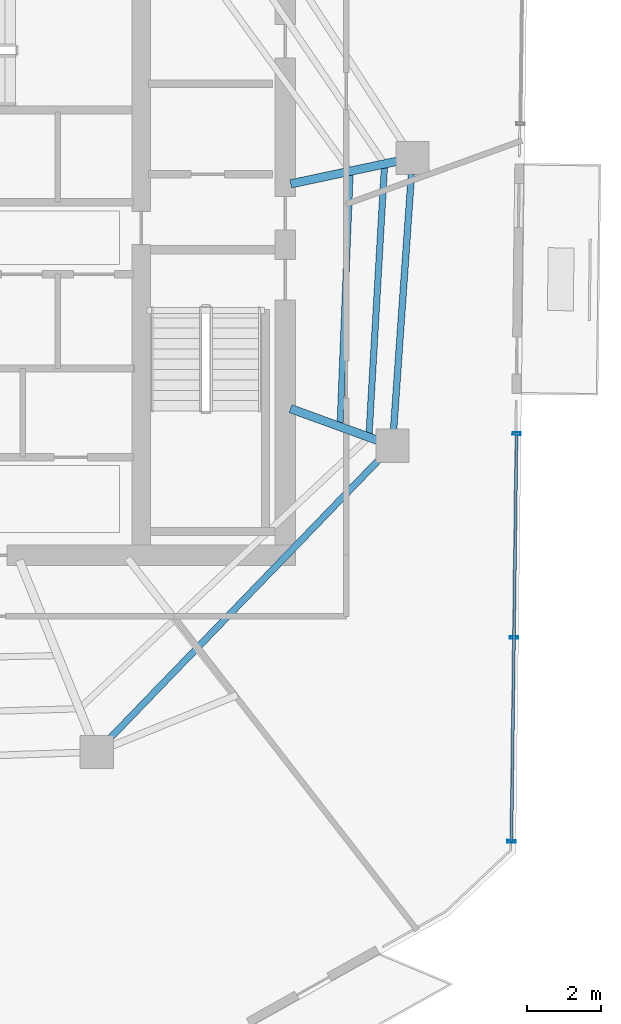
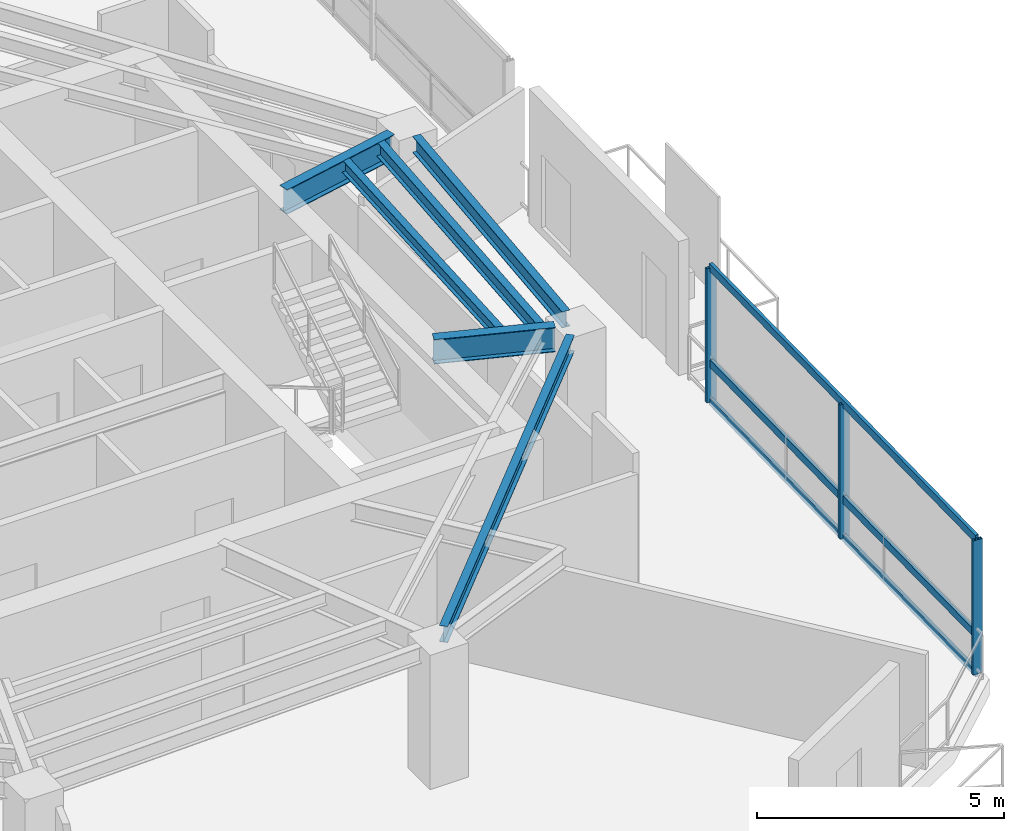
# One storey, part 7 of 18: 6 beams, 6 members, 1 element without a shape of its own.
"""IFC4 building model written with IfcOpenShell, lengths in metres."""

import ifcopenshell
import ifcopenshell.guid

model = None  # the IFC model being written
_history = None  # IfcOwnerHistory: only IFC2X3 demands one
_inside = {}  # id of a spatial element -> (the spatial element, [elements in it])
_under = {}  # id of a project, library or spatial element -> (it, [spatial elements below it])
_declared = {}  # id of a project -> (the project, [libraries it declares])
_typed = {}  # id of a type object -> (the type object, [elements of that type])
_made_of = {}  # id of a material, layer set ... -> (it, [elements and type objects made of it])


def new_model(schema):
    """Start an empty IFC model of exactly this schema.

    Asked for "IFC4X3", IfcOpenShell would pick the latest addendum, in which some entities
    have other attributes; the version numbers below select the first issue.
    IFC2X3 requires an IfcOwnerHistory on every rooted entity: one is made here for all.
    """
    global model, _history
    if schema == "IFC4X3":
        model = ifcopenshell.file(schema_version=(4, 3, 0, 0))
    else:
        model = ifcopenshell.file(schema=schema)
    _inside.clear()
    _under.clear()
    _declared.clear()
    _typed.clear()
    _made_of.clear()
    _history = None
    if model.schema == "IFC2X3":
        org = make("IfcOrganization", Name="unknown")
        user = make(
            "IfcPersonAndOrganization",
            ThePerson=make("IfcPerson", FamilyName="unknown"),
            TheOrganization=org,
        )
        app = make(
            "IfcApplication",
            ApplicationDeveloper=org,
            Version="unknown",
            ApplicationFullName="unknown",
            ApplicationIdentifier="unknown",
        )
        _history = make(
            "IfcOwnerHistory",
            OwningUser=user,
            OwningApplication=app,
            ChangeAction="ADDED",
            CreationDate=0,
        )
    return model


def make(cls, **values):
    """One entity of the class cls with the attributes given. An attribute that is None is left unset."""
    return model.create_entity(
        cls, **{name: value for name, value in values.items() if value is not None}
    )


def rooted(cls, **values):
    """An entity with a GlobalId (a new one), such as an element, a storey or a relation."""
    return make(cls, GlobalId=ifcopenshell.guid.new(), OwnerHistory=_history, **values)


def si_unit(unit_type, name, prefix=None):
    """IfcSIUnit, for example si_unit("LENGTHUNIT", "METRE", prefix="MILLI")."""
    return make("IfcSIUnit", UnitType=unit_type, Prefix=prefix, Name=name)


def assignment(units):
    """IfcUnitAssignment: the units of a project."""
    return None if units is None else make("IfcUnitAssignment", Units=units)


def point(xyz):
    """IfcCartesianPoint."""
    return None if xyz is None else make("IfcCartesianPoint", Coordinates=xyz)


def direction(xyz):
    """IfcDirection."""
    return None if xyz is None else make("IfcDirection", DirectionRatios=xyz)


def frame(location, z_axis=None, x_axis=None):
    """IfcAxis2Placement3D, a coordinate frame: its origin and axes. An axis left out is left unset."""
    return make(
        "IfcAxis2Placement3D",
        Location=point(location),
        Axis=direction(z_axis),
        RefDirection=direction(x_axis),
    )


def frame_2d(location, x_axis=None):
    """IfcAxis2Placement2D, a coordinate frame in the plane: its origin and x axis."""
    return make(
        "IfcAxis2Placement2D", Location=point(location), RefDirection=direction(x_axis)
    )


def origin():
    """The frame at (0, 0, 0) with its axes left unset."""
    return frame((0.0, 0.0, 0.0))


def origin_2d():
    """The frame at (0, 0) in the plane with its x axis left unset."""
    return frame_2d((0.0, 0.0))


def place(relative_to, where):
    """IfcLocalPlacement: puts the frame where relative to a parent placement (None: the world)."""
    return make(
        "IfcLocalPlacement", PlacementRelTo=relative_to, RelativePlacement=where
    )


def context(
    kind, dimensions, precision=None, world=None, true_north=None, identifier=None
):
    """IfcGeometricRepresentationContext, for example the 3D "Model" context."""
    return make(
        "IfcGeometricRepresentationContext",
        ContextIdentifier=identifier,
        ContextType=kind,
        CoordinateSpaceDimension=dimensions,
        Precision=precision,
        WorldCoordinateSystem=world,
        TrueNorth=true_north,
    )


def subcontext(parent, identifier, kind, view, scale=None):
    """IfcGeometricRepresentationSubContext, for example "Body" below "Model"."""
    return make(
        "IfcGeometricRepresentationSubContext",
        ContextIdentifier=identifier,
        ContextType=kind,
        ParentContext=parent,
        TargetScale=scale,
        TargetView=view,
    )


def project(units=None, contexts=None):
    """IfcProject with its units and contexts."""
    return rooted(
        "IfcProject",
        Name="project",
        RepresentationContexts=contexts,
        UnitsInContext=assignment(units),
    )


def spatial(cls, under=None, at=None, **own):
    """A site, building, storey or space (cls), placed at a placement, below another one or the project."""
    s = rooted(cls, ObjectPlacement=at, **own)
    if under is not None:
        _under.setdefault(under.id(), (under, []))[1].append(s)
    return s


def profile(cls, at=None, kind="AREA", **sizes):
    """A parametric profile (cls). Its sizes go by their IFC names, for example OverallWidth=200.0."""
    return make(cls, ProfileType=kind, Position=at, **sizes)


def hollow_rectangle(**sizes):
    """IfcRectangleHollowProfileDef."""
    return profile("IfcRectangleHollowProfileDef", **sizes)


def i_section(**sizes):
    """IfcIShapeProfileDef."""
    return profile("IfcIShapeProfileDef", **sizes)


def extrude(swept, where, along, depth):
    """IfcExtrudedAreaSolid: the profile swept, set in the frame where, extruded along a direction by depth."""
    return make(
        "IfcExtrudedAreaSolid",
        SweptArea=swept,
        Position=where,
        ExtrudedDirection=direction(along),
        Depth=depth,
    )


def shape(context_of_items, identifier, shape_type, items):
    """IfcShapeRepresentation: the items that make up one representation, for example the "Body"."""
    return make(
        "IfcShapeRepresentation",
        ContextOfItems=context_of_items,
        RepresentationIdentifier=identifier,
        RepresentationType=shape_type,
        Items=items,
    )


def material(Name=None, Category=None):
    """IfcMaterial."""
    return make("IfcMaterial", Name=Name, Category=Category)


def layer(
    of_material, thickness, ventilated=None, Name=None, Category=None, Priority=None
):
    """IfcMaterialLayer: one layer of a wall or slab, of a material (None: an air gap)."""
    return make(
        "IfcMaterialLayer",
        Material=of_material,
        LayerThickness=thickness,
        IsVentilated=ventilated,
        Name=Name,
        Category=Category,
        Priority=Priority,
    )


def layer_set(layers, Name=None):
    """IfcMaterialLayerSet."""
    return make("IfcMaterialLayerSet", MaterialLayers=layers, LayerSetName=Name)


def material_profile(
    of_material, cross_section, Name=None, Category=None, Priority=None
):
    """IfcMaterialProfile: a cross section and its material."""
    return make(
        "IfcMaterialProfile",
        Name=Name,
        Material=of_material,
        Profile=cross_section,
        Priority=Priority,
        Category=Category,
    )


def profile_set(profiles, Name=None, composite=None):
    """IfcMaterialProfileSet."""
    return make(
        "IfcMaterialProfileSet",
        Name=Name,
        MaterialProfiles=profiles,
        CompositeProfile=composite,
    )


def made_of(thing, what):
    """Note that an element or type object is made of a material, layer set ...; save() writes the relation."""
    if what is not None:
        _made_of.setdefault(what.id(), (what, []))[1].append(thing)
    return thing


def type_object(cls, material=None, **own):
    """A type object (cls), such as IfcWallType, which elements share."""
    return made_of(rooted(cls, **own), material)


def element(
    cls,
    number,
    at=None,
    inside=None,
    cuts=None,
    type_object=None,
    material=None,
    context=None,
    identifier="Body",
    shape_type=None,
    held_by="IfcProductDefinitionShape",
    body=None,
    shapes=None,
    **own,
):
    """One element of the class cls, such as IfcWall. Its Tag is "e" and its number.

    at: its placement. inside: the storey or other place that contains it. cuts: it is an
    opening in that element (IfcRelVoidsElement). A single representation is given by context,
    identifier, shape_type and body (its items); several are given by shapes. held_by: the class
    of the entity that holds the representations. save() writes the other relations.
    """
    e = rooted(cls, Tag="e%d" % number, ObjectPlacement=at, **own)
    if body is not None:
        shapes = [shape(context, identifier, shape_type, body)]
    if shapes is not None:
        e.Representation = make(held_by, Representations=shapes)
    if inside is not None:
        _inside.setdefault(inside.id(), (inside, []))[1].append(e)
    if cuts is not None:
        rooted(
            "IfcRelVoidsElement", RelatingBuildingElement=cuts, RelatedOpeningElement=e
        )
    if type_object is not None:
        _typed.setdefault(type_object.id(), (type_object, []))[1].append(e)
    return made_of(e, material)


def aggregate(whole, parts):
    """IfcRelAggregates: a whole, such as a stair, and the parts it consists of."""
    return rooted("IfcRelAggregates", RelatingObject=whole, RelatedObjects=parts)


def save(model, path):
    """Write the relations noted so far, then the file.

    IfcRelAggregates (storeys below a building ...), IfcRelContainedInSpatialStructure (elements
    in a storey), IfcRelDefinesByType, IfcRelAssociatesMaterial and IfcRelDeclares: one each for
    every whole, place, type object, material and project.
    """
    for whole, parts in _under.values():
        aggregate(whole, parts)
    for where, things in _inside.values():
        rooted(
            "IfcRelContainedInSpatialStructure",
            RelatedElements=things,
            RelatingStructure=where,
        )
    for kind, things in _typed.values():
        rooted("IfcRelDefinesByType", RelatedObjects=things, RelatingType=kind)
    for what, things in _made_of.values():
        rooted("IfcRelAssociatesMaterial", RelatedObjects=things, RelatingMaterial=what)
    for by, libraries in _declared.values():
        rooted("IfcRelDeclares", RelatingContext=by, RelatedDefinitions=libraries)
    model.write(path)


model = new_model("IFC4")

# Units and contexts
model_context = context("Model", 3, precision=1e-05, world=origin(), true_north=direction((0.0, 1.0)))
body_context = subcontext(model_context, "Body", "Model", "MODEL_VIEW")
ifc_project = project(units=[si_unit("LENGTHUNIT", "METRE"), si_unit("AREAUNIT", "SQUARE_METRE"), si_unit("VOLUMEUNIT", "CUBIC_METRE"), si_unit("PLANEANGLEUNIT", "RADIAN"), si_unit("MASSUNIT", "GRAM", prefix="KILO")], contexts=[model_context])

# Site, building, storey
site_placement = place(None, origin())
site = spatial("IfcSite", under=ifc_project, at=site_placement, CompositionType="ELEMENT")
building_placement = place(site_placement, origin())
building = spatial("IfcBuilding", under=site, at=building_placement, Name="Qarnah Convention Tower", CompositionType="ELEMENT")
storey_placement = place(building_placement, frame((0.0, 0.0, 177.0)))
storey = spatial("IfcBuildingStorey", under=building, at=storey_placement, Name="L47", CompositionType="ELEMENT", Elevation=177.0)

# Beams
ifc_material_1 = material(Name="Structural steel S355JR", Category="steel")
ifc_material_profile_1 = material_profile(ifc_material_1, i_section(OverallWidth=0.166015625, OverallDepth=0.31201171875, WebThickness=0.007080078125, FlangeThickness=0.010986328125, at=origin_2d()), Name="W310X45")
ifc_profile_set_1 = profile_set([ifc_material_profile_1], Name="Structural steel S355JR")
beam_type_1 = type_object("IfcBeamType", Name="BM-JST-W310", PredefinedType="JOIST", material=ifc_profile_set_1)
beam_1_placement = place(storey_placement, frame((49.0810546875, 22.166015625, 3.1640625), z_axis=(0.040101253975, 0.999195621202, 0.0), x_axis=(-0.999195621202, 0.040101253975, 0.0)))
element("IfcBeam", 1, at=beam_1_placement, inside=storey, type_object=beam_type_1, Name="L47 joist BM-L47-IJST-09", PredefinedType="JOIST", context=body_context, shape_type="SweptSolid", body=[
    extrude(i_section(OverallWidth=0.166015625, OverallDepth=0.31201171875, WebThickness=0.007080078125, FlangeThickness=0.010986328125, at=origin_2d()), origin(), (0.0, 0.0, 1.0), 6.7333984375),
])
ifc_material_profile_2 = material_profile(ifc_material_1, i_section(OverallWidth=0.172119140625, OverallDepth=0.35595703125, WebThickness=0.007080078125, FlangeThickness=0.011962890625, at=origin_2d()), Name="W360X51")
ifc_profile_set_2 = profile_set([ifc_material_profile_2], Name="Structural steel S355JR")
beam_type_2 = type_object("IfcBeamType", Name="BM-JST-W360", PredefinedType="JOIST", material=ifc_profile_set_2)
beam_2_placement = place(storey_placement, frame((49.864990234375, 21.882080078125, 3.14208984375), z_axis=(0.057342500082, 0.998354565114, 0.0), x_axis=(-0.998354565114, 0.057342500082, 0.0)))
element("IfcBeam", 2, at=beam_2_placement, inside=storey, type_object=beam_type_2, Name="L47 joist BM-L47-SJST-09", PredefinedType="JOIST", context=body_context, shape_type="SweptSolid", body=[
    extrude(i_section(OverallWidth=0.172119140625, OverallDepth=0.35595703125, WebThickness=0.007080078125, FlangeThickness=0.011962890625, at=origin_2d()), origin(), (0.0, 0.0, 1.0), 7.220947265625),
])
ifc_material_profile_3 = material_profile(ifc_material_1, i_section(OverallWidth=0.22802734375, OverallDepth=0.60791015625, WebThickness=0.010986328125, FlangeThickness=0.01708984375, at=origin_2d()), Name="W610X113")
ifc_profile_set_3 = profile_set([ifc_material_profile_3], Name="Structural steel S355JR")
beam_type_3 = type_object("IfcBeamType", Name="BM-RAD-W610B", PredefinedType="BEAM", material=ifc_profile_set_3)
beam_3_placement = place(storey_placement, frame((47.7470703125, 28.64208984375, 3.01611328125), z_axis=(0.978136876062, 0.207962140033, 0.0), x_axis=(-0.207962140033, 0.978136876062, 0.0)))
element("IfcBeam", 3, at=beam_3_placement, inside=storey, type_object=beam_type_3, Name="L47 beam BM-L47-RAD-01", PredefinedType="BEAM", context=body_context, shape_type="SweptSolid", body=[
    extrude(i_section(OverallWidth=0.22802734375, OverallDepth=0.60791015625, WebThickness=0.010986328125, FlangeThickness=0.01708984375, at=origin_2d()), origin(), (0.0, 0.0, 1.0), 2.937255859375),
])
beam_4_placement = place(storey_placement, frame((47.740966796875, 22.56298828125, 3.01611328125), z_axis=(0.939707956932, -0.341978004671, 0.0), x_axis=(0.341978004671, 0.939707956932, 0.0)))
element("IfcBeam", 4, at=beam_4_placement, inside=storey, type_object=beam_type_3, Name="L47 beam BM-L47-RAD-09", PredefinedType="BEAM", context=body_context, shape_type="SweptSolid", body=[
    extrude(i_section(OverallWidth=0.22802734375, OverallDepth=0.60791015625, WebThickness=0.010986328125, FlangeThickness=0.01708984375, at=origin_2d()), origin(), (0.0, 0.0, 1.0), 2.5029296875),
])
ifc_material_profile_4 = material_profile(ifc_material_1, i_section(OverallWidth=0.179931640625, OverallDepth=0.39990234375, WebThickness=0.009033203125, FlangeThickness=0.013916015625, at=origin_2d()), Name="IPE400")
ifc_profile_set_4 = profile_set([ifc_material_profile_4], Name="Structural steel S355JR")
beam_type_4 = type_object("IfcBeamType", Name="BM-SPN-IPE400", PredefinedType="SPANDREL", material=ifc_profile_set_4)
beam_5_placement = place(storey_placement, frame((42.806884765625, 13.596923828125, 3.1201171875), z_axis=(0.694676898282, 0.719321907767, 0.0), x_axis=(-0.719321907767, 0.694676898282, 0.0)))
element("IfcBeam", 5, at=beam_5_placement, inside=storey, type_object=beam_type_4, Name="L47 spandrel BM-L47-SPN-08", PredefinedType="SPANDREL", context=body_context, shape_type="SweptSolid", body=[
    extrude(i_section(OverallWidth=0.179931640625, OverallDepth=0.39990234375, WebThickness=0.009033203125, FlangeThickness=0.013916015625, at=origin_2d()), origin(), (0.0, 0.0, 1.0), 10.62939453125),
])
beam_6_placement = place(storey_placement, frame((50.528076171875, 21.9990234375, 3.1201171875), z_axis=(0.069635000818, 0.997572537042, 0.0), x_axis=(-0.997572537042, 0.069635000818, 0.0)))
element("IfcBeam", 6, at=beam_6_placement, inside=storey, type_object=beam_type_4, Name="L47 spandrel BM-L47-SPN-09", PredefinedType="SPANDREL", context=body_context, shape_type="SweptSolid", body=[
    extrude(i_section(OverallWidth=0.179931640625, OverallDepth=0.39990234375, WebThickness=0.009033203125, FlangeThickness=0.013916015625, at=origin_2d()), origin(), (0.0, 0.0, 1.0), 6.9208984375),
])

# Curtain wall, members
ifc_material_2 = material(Name="Tempered Low-E dark glass", Category="glass")
ifc_layer = layer(ifc_material_2, 0.174072265625)
ifc_layer_set = layer_set([ifc_layer], Name="Tempered Low-E dark glass")
curtain_wall_type = type_object("IfcCurtainWallType", Name="CWS-04", PredefinedType="NOTDEFINED", material=ifc_layer_set)
curtain_wall_placement = place(storey_placement, origin())
curtain_wall = element("IfcCurtainWall", 7, at=curtain_wall_placement, inside=storey, type_object=curtain_wall_type, Name="L47 unitised curtain wall CW-L47-F4", PredefinedType="NOTDEFINED")
ifc_material_3 = material(Name="Black anodised aluminium", Category="aluminium")
ifc_material_profile_5 = material_profile(ifc_material_3, hollow_rectangle(XDim=0.074951171875, YDim=0.219970703125, WallThickness=0.0048828125, at=origin_2d()), Name="MUL-75X220")
ifc_profile_set_5 = profile_set([ifc_material_profile_5], Name="Black anodised aluminium")
member_type_1 = type_object("IfcMemberType", Name="MUL-T4", PredefinedType="MULLION", material=ifc_profile_set_5)
member_1_placement = place(storey_placement, frame((53.85302734375, 21.887939453125, 0.0), z_axis=(0.0, 0.0, 1.0), x_axis=(-0.01251375393, -0.999921699916, 0.0)))
member_1 = element("IfcMember", 8, at=member_1_placement, type_object=member_type_1, Name="CW-L47-F4 mullion 1", PredefinedType="MULLION", context=body_context, shape_type="SweptSolid", body=[
    extrude(hollow_rectangle(XDim=0.074951171875, YDim=0.219970703125, WallThickness=0.0048828125, at=origin_2d()), origin(), (0.0, 0.0, 1.0), 3.320068359375),
])
member_2_placement = place(storey_placement, frame((53.783935546875, 16.37451171875, 0.0), z_axis=(0.0, 0.0, 1.0), x_axis=(-0.01251375393, -0.999921699916, 0.0)))
member_2 = element("IfcMember", 9, at=member_2_placement, type_object=member_type_1, Name="CW-L47-F4 mullion 2", PredefinedType="MULLION", context=body_context, shape_type="SweptSolid", body=[
    extrude(hollow_rectangle(XDim=0.074951171875, YDim=0.219970703125, WallThickness=0.0048828125, at=origin_2d()), origin(), (0.0, 0.0, 1.0), 3.320068359375),
])
member_3_placement = place(storey_placement, frame((53.715087890625, 10.861083984375, 0.0), z_axis=(0.0, 0.0, 1.0), x_axis=(-0.01251375393, -0.999921699916, 0.0)))
member_3 = element("IfcMember", 10, at=member_3_placement, type_object=member_type_1, Name="CW-L47-F4 mullion 3", PredefinedType="MULLION", context=body_context, shape_type="SweptSolid", body=[
    extrude(hollow_rectangle(XDim=0.074951171875, YDim=0.219970703125, WallThickness=0.0048828125, at=origin_2d()), origin(), (0.0, 0.0, 1.0), 3.320068359375),
])
ifc_material_profile_6 = material_profile(ifc_material_3, hollow_rectangle(XDim=0.074951171875, YDim=0.18994140625, WallThickness=0.0048828125, at=origin_2d()), Name="TRN-75X190")
ifc_profile_set_6 = profile_set([ifc_material_profile_6], Name="Black anodised aluminium")
member_type_2 = type_object("IfcMemberType", Name="TRN-T4", PredefinedType="USERDEFINED", material=ifc_profile_set_6)
member_4_placement = place(storey_placement, frame((53.85302734375, 21.887939453125, 0.0), z_axis=(-0.012508431078, -0.999921766516, 0.0), x_axis=(0.999921766516, -0.012508431078, 0.0)))
member_4 = element("IfcMember", 11, at=member_4_placement, type_object=member_type_2, Name="CW-L47-F4 transom 1", ObjectType="TRANSOM", PredefinedType="USERDEFINED", context=body_context, shape_type="SweptSolid", body=[
    extrude(hollow_rectangle(XDim=0.074951171875, YDim=0.18994140625, WallThickness=0.0048828125, at=origin_2d()), origin(), (0.0, 0.0, 1.0), 11.02783203125),
])
member_5_placement = place(storey_placement, frame((53.85302734375, 21.887939453125, 0.949951171875), z_axis=(-0.012508431078, -0.999921766516, 0.0), x_axis=(0.999921766516, -0.012508431078, 0.0)))
member_5 = element("IfcMember", 12, at=member_5_placement, type_object=member_type_2, Name="CW-L47-F4 transom 2", ObjectType="TRANSOM", PredefinedType="USERDEFINED", context=body_context, shape_type="SweptSolid", body=[
    extrude(hollow_rectangle(XDim=0.074951171875, YDim=0.18994140625, WallThickness=0.0048828125, at=origin_2d()), origin(), (0.0, 0.0, 1.0), 11.02783203125),
])
member_6_placement = place(storey_placement, frame((53.85302734375, 21.887939453125, 3.320068359375), z_axis=(-0.012508431078, -0.999921766516, 0.0), x_axis=(0.999921766516, -0.012508431078, 0.0)))
member_6 = element("IfcMember", 13, at=member_6_placement, type_object=member_type_2, Name="CW-L47-F4 transom 3", ObjectType="TRANSOM", PredefinedType="USERDEFINED", context=body_context, shape_type="SweptSolid", body=[
    extrude(hollow_rectangle(XDim=0.074951171875, YDim=0.18994140625, WallThickness=0.0048828125, at=origin_2d()), origin(), (0.0, 0.0, 1.0), 11.02783203125),
])
aggregate(curtain_wall, [member_1, member_2, member_3, member_4, member_5, member_6])

save(model, "model.ifc")
